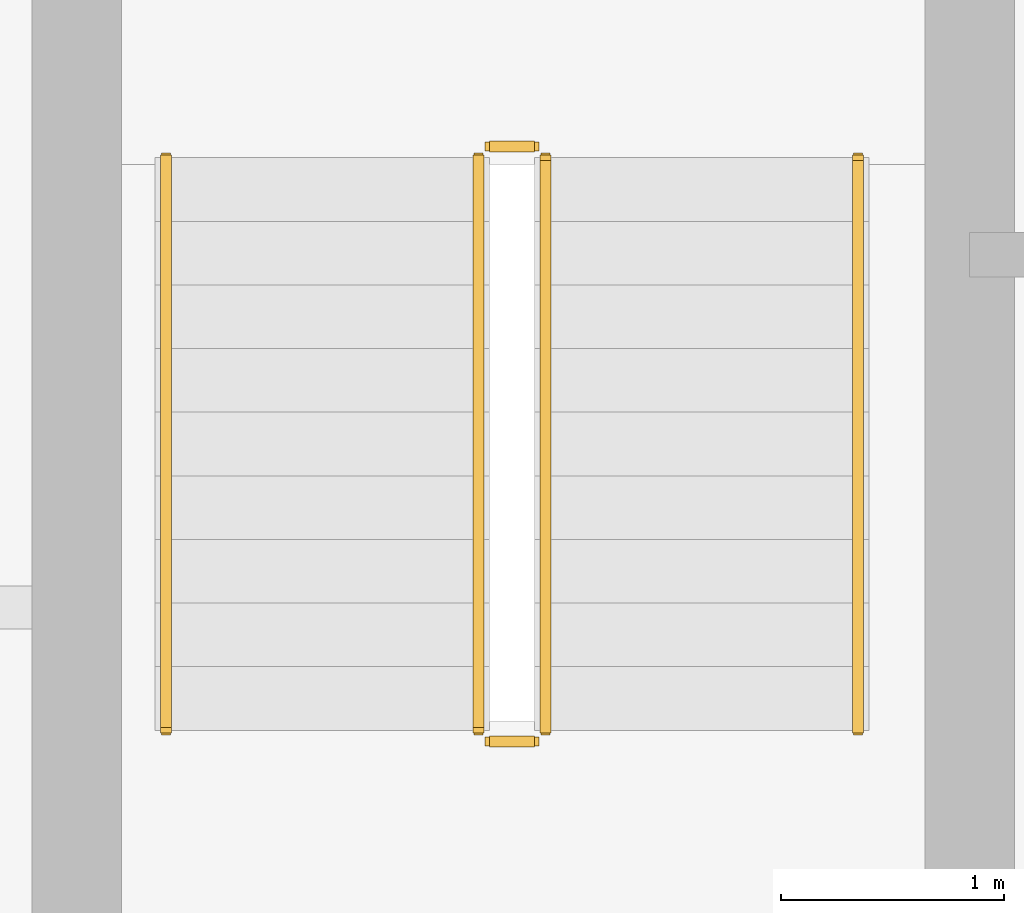
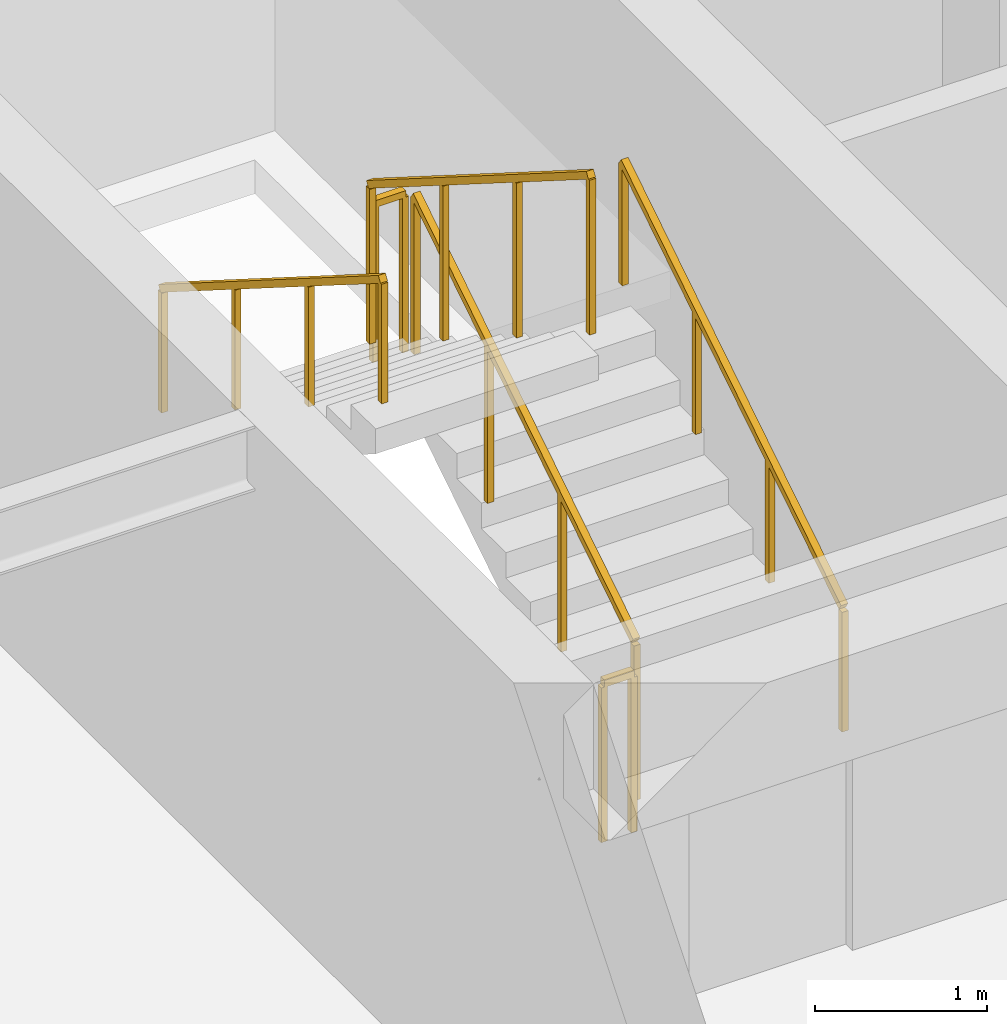
# One storey, part 21 of 23: 6 railings.
"""IFC4 building model written with IfcOpenShell, lengths in metres."""

from ifc_helpers import new_model, si_unit, direction, frame, origin, origin_2d, place, context, subcontext, project, spatial, rectangle, extrude, material, type_object, element, save


model = new_model("IFC4")

# Units and contexts
model_context = context("Model", 3, precision=1e-05, world=origin(), true_north=direction((0.0, 1.0)))
body_context = subcontext(model_context, "Body", "Model", "MODEL_VIEW")
ifc_project = project(units=[si_unit("LENGTHUNIT", "METRE"), si_unit("AREAUNIT", "SQUARE_METRE"), si_unit("VOLUMEUNIT", "CUBIC_METRE"), si_unit("PLANEANGLEUNIT", "RADIAN"), si_unit("MASSUNIT", "GRAM", prefix="KILO")], contexts=[model_context])

# Site, building, storey
site_placement = place(None, origin())
site = spatial("IfcSite", under=ifc_project, at=site_placement, CompositionType="ELEMENT")
building_placement = place(site_placement, origin())
building = spatial("IfcBuilding", under=site, at=building_placement, Name="Sarneth Arch Tower", CompositionType="ELEMENT")
storey_placement = place(building_placement, frame((0.0, 0.0, 246.0)))
storey = spatial("IfcBuildingStorey", under=building, at=storey_placement, Name="L63", CompositionType="ELEMENT", Elevation=246.0)

# Railings
ifc_material_1 = material(Name="Brushed Stainless Steel 304 tubular handrail", Category="steel")
railing_type_1 = type_object("IfcRailingType", Name="RAIL-HANDRAIL-900", PredefinedType="HANDRAIL", material=ifc_material_1)
railing_1_placement = place(storey_placement, frame((40.5, 41.449951171875, 0.179931640625)))
element("IfcRailing", 1, at=railing_1_placement, inside=storey, type_object=railing_type_1, Name="L63 ST-1 stair handrail 1", PredefinedType="HANDRAIL", context=body_context, shape_type="SweptSolid", body=[
    extrude(rectangle(XDim=0.048095703125, YDim=0.048095703125, at=origin_2d()), frame((0.0, 0.0, 0.8759765625), z_axis=(0.0, 0.845465955043, 0.534029323973), x_axis=(-1.0, 0.0, 0.0)), (0.0, 0.0, 1.0), 3.03369140625),
    extrude(rectangle(XDim=0.0419921875, YDim=0.0419921875, at=origin_2d()), origin(), (0.0, 0.0, 1.0), 0.851806640625),
    extrude(rectangle(XDim=0.0419921875, YDim=0.0419921875, at=origin_2d()), frame((0.0, 0.85498046875, 0.5400390625)), (0.0, 0.0, 1.0), 0.851806640625),
    extrude(rectangle(XDim=0.0419921875, YDim=0.0419921875, at=origin_2d()), frame((0.0, 1.7099609375, 1.080078125)), (0.0, 0.0, 1.0), 0.851806640625),
    extrude(rectangle(XDim=0.0419921875, YDim=0.0419921875, at=origin_2d()), frame((0.0, 2.56494140625, 1.6201171875)), (0.0, 0.0, 1.0), 0.851806640625),
])
railing_2_placement = place(storey_placement, frame((37.39990234375, 44.014892578125, 1.97998046875)))
element("IfcRailing", 2, at=railing_2_placement, inside=storey, type_object=railing_type_1, Name="L63 ST-1 stair handrail 2", PredefinedType="HANDRAIL", context=body_context, shape_type="SweptSolid", body=[
    extrude(rectangle(XDim=0.048095703125, YDim=0.048095703125, at=origin_2d()), frame((0.0, 0.0, 0.8759765625), z_axis=(0.0, -0.845465955043, 0.534029323973), x_axis=(1.0, 0.0, 0.0)), (0.0, 0.0, 1.0), 3.03369140625),
    extrude(rectangle(XDim=0.0419921875, YDim=0.0419921875, at=origin_2d()), origin(), (0.0, 0.0, 1.0), 0.851806640625),
    extrude(rectangle(XDim=0.0419921875, YDim=0.0419921875, at=origin_2d()), frame((0.0, -0.85498046875, 0.5400390625)), (0.0, 0.0, 1.0), 0.851806640625),
    extrude(rectangle(XDim=0.0419921875, YDim=0.0419921875, at=origin_2d()), frame((0.0, -1.7099609375, 1.080078125)), (0.0, 0.0, 1.0), 0.851806640625),
    extrude(rectangle(XDim=0.0419921875, YDim=0.0419921875, at=origin_2d()), frame((0.0, -2.56494140625, 1.6201171875)), (0.0, 0.0, 1.0), 0.851806640625),
])
ifc_material_2 = material(Name="Painted Steel S275 stair well guard", Category="steel")
railing_type_2 = type_object("IfcRailingType", Name="RAIL-STAIR-GUARD", PredefinedType="GUARDRAIL", material=ifc_material_2)
railing_3_placement = place(storey_placement, frame((39.10009765625, 41.449951171875, 0.179931640625)))
element("IfcRailing", 3, at=railing_3_placement, inside=storey, type_object=railing_type_2, Name="L63 ST-1 stair guard 1", PredefinedType="GUARDRAIL", context=body_context, shape_type="SweptSolid", body=[
    extrude(rectangle(XDim=0.048095703125, YDim=0.048095703125, at=origin_2d()), frame((0.0, 0.0, 1.1259765625), z_axis=(0.0, 0.845465955043, 0.534029323973), x_axis=(-1.0, 0.0, 0.0)), (0.0, 0.0, 1.0), 3.03369140625),
    extrude(rectangle(XDim=0.0419921875, YDim=0.0419921875, at=origin_2d()), origin(), (0.0, 0.0, 1.0), 1.101806640625),
    extrude(rectangle(XDim=0.0419921875, YDim=0.0419921875, at=origin_2d()), frame((0.0, 0.85498046875, 0.5400390625)), (0.0, 0.0, 1.0), 1.101806640625),
    extrude(rectangle(XDim=0.0419921875, YDim=0.0419921875, at=origin_2d()), frame((0.0, 1.7099609375, 1.080078125)), (0.0, 0.0, 1.0), 1.101806640625),
    extrude(rectangle(XDim=0.0419921875, YDim=0.0419921875, at=origin_2d()), frame((0.0, 2.56494140625, 1.6201171875)), (0.0, 0.0, 1.0), 1.101806640625),
])
railing_4_placement = place(storey_placement, frame((39.050048828125, 44.06494140625, 1.800048828125)))
element("IfcRailing", 4, at=railing_4_placement, inside=storey, type_object=railing_type_2, Name="L63 ST-1 stair guard 2", PredefinedType="GUARDRAIL", context=body_context, shape_type="SweptSolid", body=[
    extrude(rectangle(XDim=0.048095703125, YDim=0.048095703125, at=origin_2d()), frame((0.0, 0.0, 1.1259765625), z_axis=(-1.0, 0.0, 0.0), x_axis=(0.0, -1.0, 0.0)), (0.0, 0.0, 1.0), 0.199951171875),
    extrude(rectangle(XDim=0.0419921875, YDim=0.0419921875, at=origin_2d()), origin(), (0.0, 0.0, 1.0), 1.101806640625),
    extrude(rectangle(XDim=0.0419921875, YDim=0.0419921875, at=origin_2d()), frame((-0.199951171875, 0.0, 0.0)), (0.0, 0.0, 1.0), 1.101806640625),
])
railing_5_placement = place(storey_placement, frame((38.800048828125, 44.014892578125, 1.97998046875)))
element("IfcRailing", 5, at=railing_5_placement, inside=storey, type_object=railing_type_2, Name="L63 ST-1 stair guard 3", PredefinedType="GUARDRAIL", context=body_context, shape_type="SweptSolid", body=[
    extrude(rectangle(XDim=0.048095703125, YDim=0.048095703125, at=origin_2d()), frame((0.0, 0.0, 1.1259765625), z_axis=(0.0, -0.845465955043, 0.534029323973), x_axis=(1.0, 0.0, 0.0)), (0.0, 0.0, 1.0), 3.03369140625),
    extrude(rectangle(XDim=0.0419921875, YDim=0.0419921875, at=origin_2d()), origin(), (0.0, 0.0, 1.0), 1.101806640625),
    extrude(rectangle(XDim=0.0419921875, YDim=0.0419921875, at=origin_2d()), frame((0.0, -0.85498046875, 0.5400390625)), (0.0, 0.0, 1.0), 1.101806640625),
    extrude(rectangle(XDim=0.0419921875, YDim=0.0419921875, at=origin_2d()), frame((0.0, -1.7099609375, 1.080078125)), (0.0, 0.0, 1.0), 1.101806640625),
    extrude(rectangle(XDim=0.0419921875, YDim=0.0419921875, at=origin_2d()), frame((0.0, -2.56494140625, 1.6201171875)), (0.0, 0.0, 1.0), 1.101806640625),
])
railing_6_placement = place(storey_placement, frame((39.050048828125, 41.39990234375, 0.0)))
element("IfcRailing", 6, at=railing_6_placement, inside=storey, type_object=railing_type_2, Name="L63 ST-1 stair guard 4", PredefinedType="GUARDRAIL", context=body_context, shape_type="SweptSolid", body=[
    extrude(rectangle(XDim=0.048095703125, YDim=0.048095703125, at=origin_2d()), frame((0.0, 0.0, 1.1259765625), z_axis=(-1.0, 0.0, 0.0), x_axis=(0.0, -1.0, 0.0)), (0.0, 0.0, 1.0), 0.199951171875),
    extrude(rectangle(XDim=0.0419921875, YDim=0.0419921875, at=origin_2d()), origin(), (0.0, 0.0, 1.0), 1.101806640625),
    extrude(rectangle(XDim=0.0419921875, YDim=0.0419921875, at=origin_2d()), frame((-0.199951171875, 0.0, 0.0)), (0.0, 0.0, 1.0), 1.101806640625),
])

save(model, "model.ifc")
